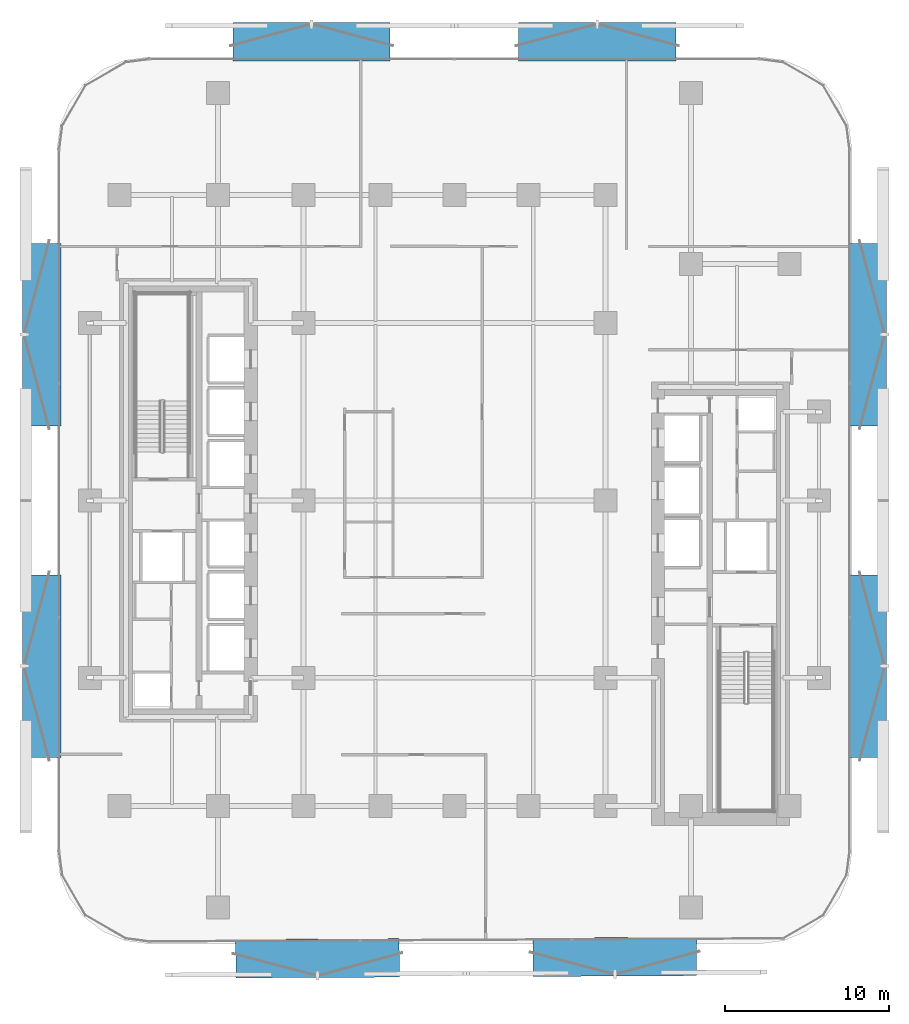
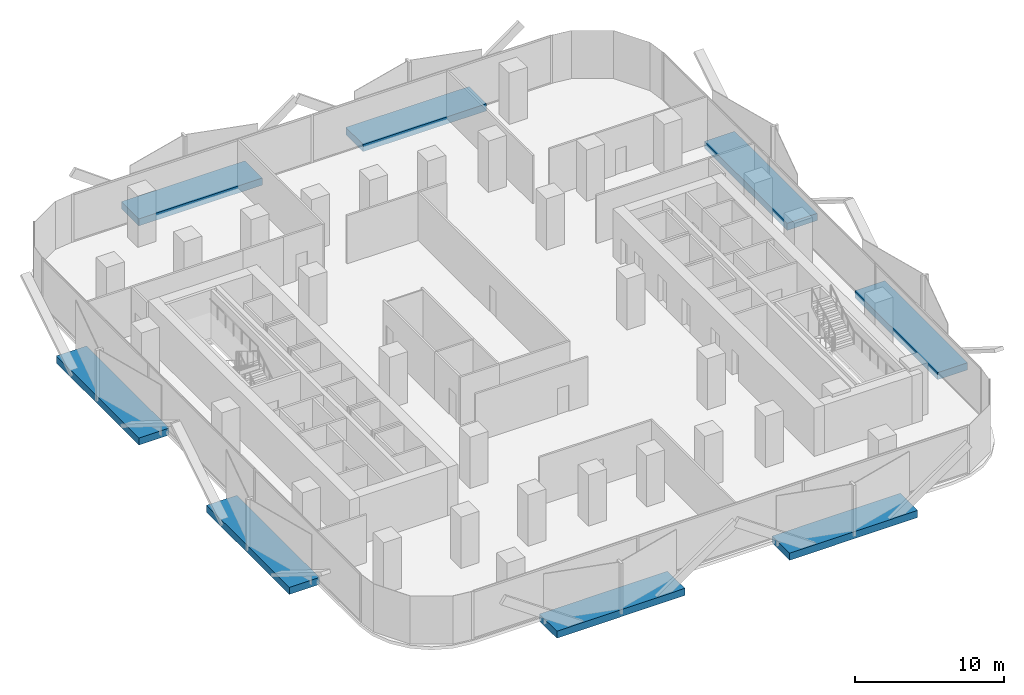
# One storey, part 6 of 15: 8 discrete accessories.
"""IFC4 building model written with IfcOpenShell, lengths in metres."""

from ifc_helpers import new_model, si_unit, direction, frame, origin, origin_2d, place, context, subcontext, project, spatial, rectangle, extrude, material, type_object, element, save


model = new_model("IFC4")

# Units and contexts
model_context = context("Model", 3, precision=1e-05, world=origin(), true_north=direction((0.0, 1.0)))
body_context = subcontext(model_context, "Body", "Model", "MODEL_VIEW")
ifc_project = project(units=[si_unit("LENGTHUNIT", "METRE"), si_unit("AREAUNIT", "SQUARE_METRE"), si_unit("VOLUMEUNIT", "CUBIC_METRE"), si_unit("PLANEANGLEUNIT", "RADIAN"), si_unit("MASSUNIT", "GRAM", prefix="KILO")], contexts=[model_context])

# Site, building, storey
site_placement = place(None, origin())
site = spatial("IfcSite", under=ifc_project, at=site_placement, CompositionType="ELEMENT")
building_placement = place(site_placement, origin())
building = spatial("IfcBuilding", under=site, at=building_placement, Name="Khairoan Windgate Tower", CompositionType="ELEMENT")
storey_placement = place(building_placement, frame((0.0, 0.0, 72.199951171875)))
storey = spatial("IfcBuildingStorey", under=building, at=storey_placement, Name="L17", CompositionType="ELEMENT", Elevation=72.199951171875)

# Discrete accessories
ifc_material = material(Name="Steel S355", Category="steel")
discrete_accessory_type = type_object("IfcDiscreteAccessoryType", Name="Solar Screen Outrigger Slab Bracket SSB-1", PredefinedType="BRACKET", material=ifc_material)
for number, where, z_axis, x_axis, name in (
    (1, (9.76708984375, -27.79248046875, -0.419921875), (0.0, 0.0, 1.0), (-0.999988059021, -0.004886902454, 0.0), "L17 Solar Screen Outrigger Bracket 89"),
    (2, (-8.334716796875, -27.88037109375, -0.419921875), (0.0, 0.0, 1.0), (-0.999988059021, -0.004886902454, 0.0), "L17 Solar Screen Outrigger Bracket 90"),
):
    element("IfcDiscreteAccessory", number, at=place(storey_placement, frame(where, z_axis=z_axis, x_axis=x_axis)), inside=storey, type_object=discrete_accessory_type, Name=name, PredefinedType="BRACKET", context=body_context, shape_type="SweptSolid", body=[
        extrude(rectangle(XDim=9.9560546875, YDim=2.340087890625, at=origin_2d()), origin(), (0.0, 0.0, 1.0), 0.580078125),
    ])
for number, where, z_axis, x_axis, name in (
    (3, (-25.1298828125, -10.095458984375, -0.419921875), (0.0, 0.0, 1.0), (0.0, 1.0, 0.0), "L17 Solar Screen Outrigger Bracket 91"),
    (4, (-25.1298828125, 10.095458984375, -0.419921875), (0.0, 0.0, 1.0), (0.0, 1.0, 0.0), "L17 Solar Screen Outrigger Bracket 92"),
):
    element("IfcDiscreteAccessory", number, at=place(storey_placement, frame(where, z_axis=z_axis, x_axis=x_axis)), inside=storey, type_object=discrete_accessory_type, Name=name, PredefinedType="BRACKET", context=body_context, shape_type="SweptSolid", body=[
        extrude(rectangle(XDim=11.10498046875, YDim=2.340087890625, at=origin_2d()), origin(), (0.0, 0.0, 1.0), 0.580078125),
    ])
for number, where, z_axis, x_axis, name in (
    (5, (-8.6953125, 27.929931640625, -0.419921875), (0.0, 0.0, 1.0), (1.0, 0.0, 0.0), "L17 Solar Screen Outrigger Bracket 93"),
    (6, (8.6953125, 27.929931640625, -0.419921875), (0.0, 0.0, 1.0), (1.0, 0.0, 0.0), "L17 Solar Screen Outrigger Bracket 94"),
):
    element("IfcDiscreteAccessory", number, at=place(storey_placement, frame(where, z_axis=z_axis, x_axis=x_axis)), inside=storey, type_object=discrete_accessory_type, Name=name, PredefinedType="BRACKET", context=body_context, shape_type="SweptSolid", body=[
        extrude(rectangle(XDim=9.56494140625, YDim=2.340087890625, at=origin_2d()), origin(), (0.0, 0.0, 1.0), 0.580078125),
    ])
for number, where, z_axis, x_axis, name in (
    (7, (25.1298828125, 10.095458984375, -0.419921875), (0.0, 0.0, 1.0), (0.0, -1.0, 0.0), "L17 Solar Screen Outrigger Bracket 95"),
    (8, (25.1298828125, -10.095458984375, -0.419921875), (0.0, 0.0, 1.0), (0.0, -1.0, 0.0), "L17 Solar Screen Outrigger Bracket 96"),
):
    element("IfcDiscreteAccessory", number, at=place(storey_placement, frame(where, z_axis=z_axis, x_axis=x_axis)), inside=storey, type_object=discrete_accessory_type, Name=name, PredefinedType="BRACKET", context=body_context, shape_type="SweptSolid", body=[
        extrude(rectangle(XDim=11.10498046875, YDim=2.340087890625, at=origin_2d()), origin(), (0.0, 0.0, 1.0), 0.580078125),
    ])

save(model, "model.ifc")
